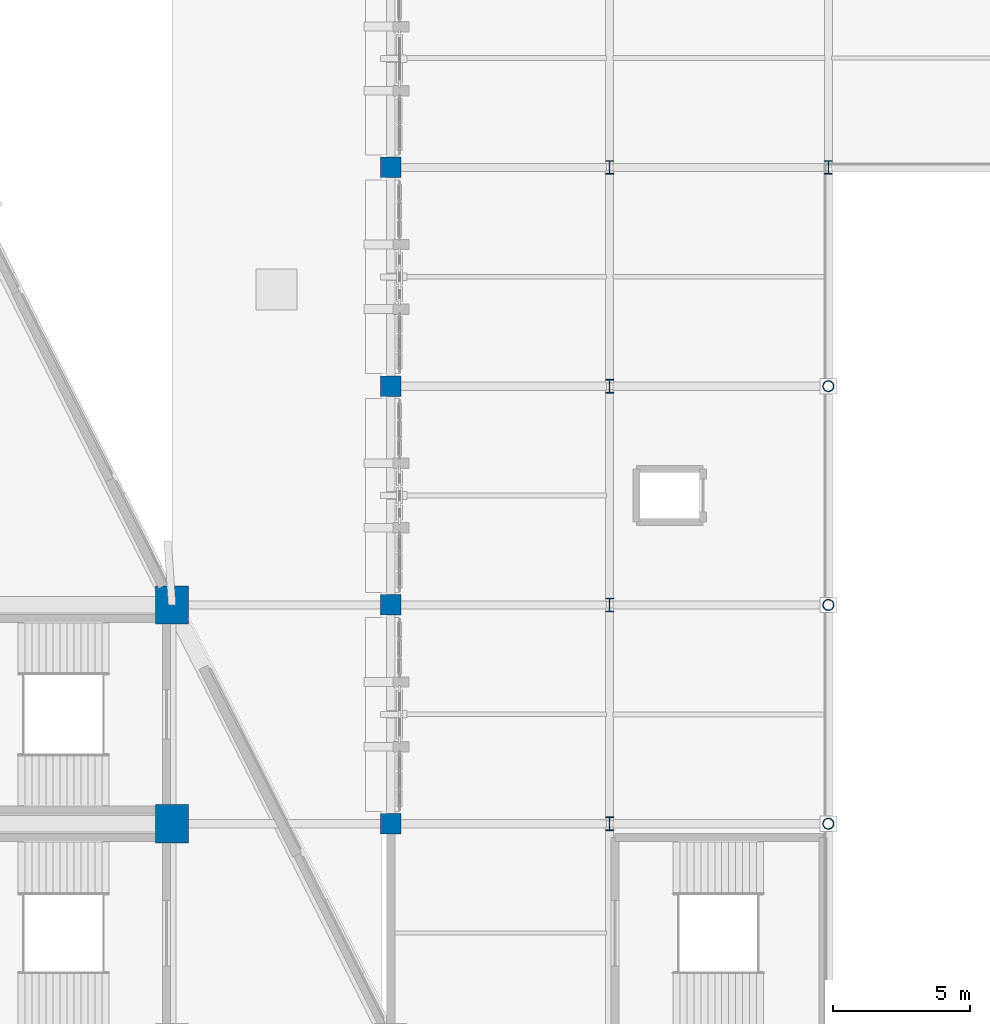
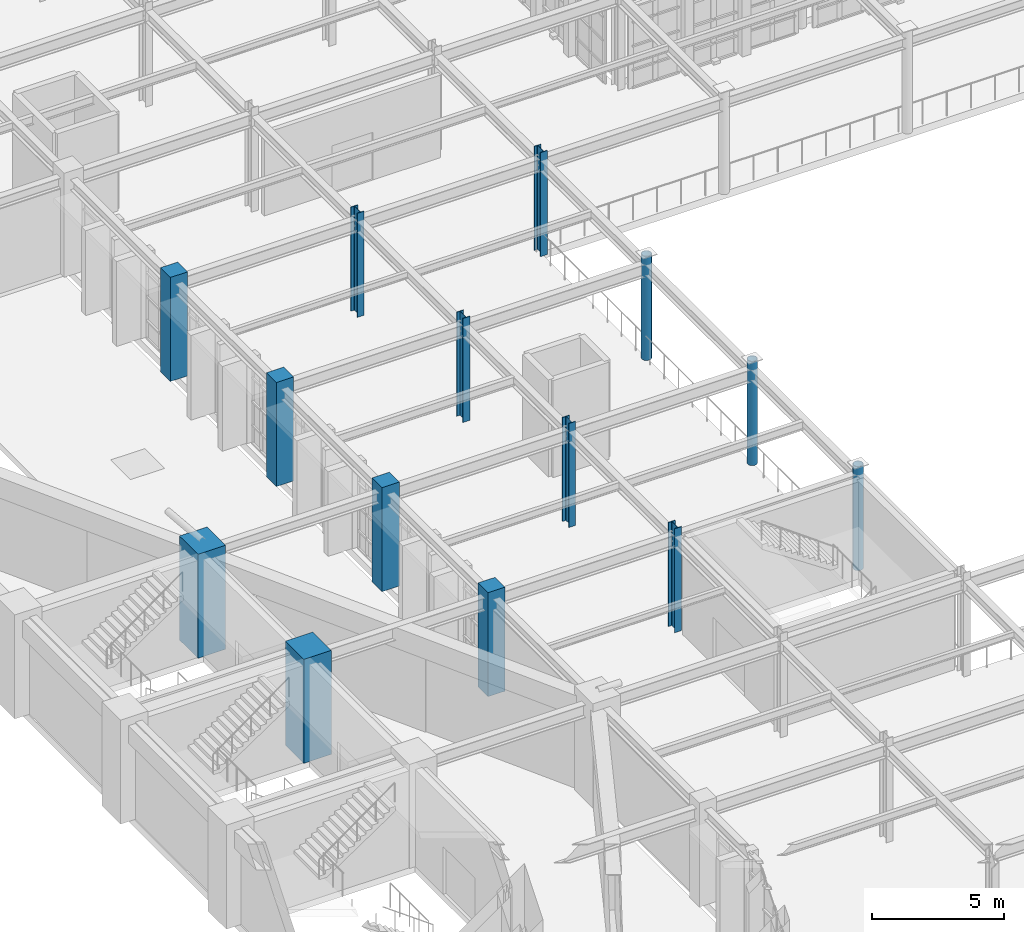
# One storey, part 4 of 155: 14 columns.
"""IFC4 building model written with IfcOpenShell, lengths in metres."""

from ifc_helpers import new_model, si_unit, direction, frame, origin, origin_2d, place, context, subcontext, project, spatial, rectangle, hollow_circle, i_section, extrude, material, material_profile, profile_set, type_object, element, save


model = new_model("IFC4")

# Units and contexts
model_context = context("Model", 3, precision=1e-05, world=origin(), true_north=direction((0.0, 1.0)))
body_context = subcontext(model_context, "Body", "Model", "MODEL_VIEW")
ifc_project = project(units=[si_unit("LENGTHUNIT", "METRE"), si_unit("AREAUNIT", "SQUARE_METRE"), si_unit("VOLUMEUNIT", "CUBIC_METRE"), si_unit("PLANEANGLEUNIT", "RADIAN"), si_unit("MASSUNIT", "GRAM", prefix="KILO")], contexts=[model_context])

# Site, building, storey
site_placement = place(None, origin())
site = spatial("IfcSite", under=ifc_project, at=site_placement, CompositionType="ELEMENT")
building_placement = place(site_placement, origin())
building = spatial("IfcBuilding", under=site, at=building_placement, Name="Tazarka Park Arena", CompositionType="ELEMENT")
storey_placement = place(building_placement, frame((0.0, 0.0, 5.39990234375)))
storey = spatial("IfcBuildingStorey", under=building, at=storey_placement, Name="L01", CompositionType="ELEMENT", Elevation=5.39990234375)

# Columns
ifc_material_1 = material(Name="Concrete C40/50", Category="concrete")
ifc_material_profile_1 = material_profile(ifc_material_1, rectangle(XDim=0.75, YDim=0.75, at=origin_2d()), Name="Concrete C40/50")
ifc_profile_set_1 = profile_set([ifc_material_profile_1], Name="Concrete C40/50")
column_type_1 = type_object("IfcColumnType", Name="COL-C-02", PredefinedType="COLUMN", material=ifc_profile_set_1)
for number, where, z_axis, x_axis, name in (
    (1, (136.0, 72.0, 0.0), (0.0, 0.0, 1.0), (1.0, 0.0, 0.0), "CLM-L01-17-09"),
    (2, (136.0, 80.0, 0.0), (0.0, 0.0, 1.0), (1.0, 0.0, 0.0), "CLM-L01-17-10"),
):
    element("IfcColumn", number, at=place(storey_placement, frame(where, z_axis=z_axis, x_axis=x_axis)), inside=storey, type_object=column_type_1, Name=name, PredefinedType="COLUMN", context=body_context, shape_type="SweptSolid", body=[
        extrude(rectangle(XDim=0.75, YDim=0.75, at=origin_2d()), origin(), (0.0, 0.0, 1.0), 4.800048828125),
    ])
ifc_material_2 = material(Name="Concrete C50/60", Category="concrete")
ifc_material_profile_2 = material_profile(ifc_material_2, rectangle(XDim=1.199951171875, YDim=1.39990234375, at=origin_2d()), Name="Concrete C50/60")
ifc_profile_set_2 = profile_set([ifc_material_profile_2], Name="Concrete C50/60")
column_type_2 = type_object("IfcColumnType", Name="COL-C-05", PredefinedType="COLUMN", material=ifc_profile_set_2)
column_1_placement = place(storey_placement, frame((128.0, 72.0, 0.0), z_axis=(0.0, 0.0, 1.0), x_axis=(1.0, 0.0, 0.0)))
element("IfcColumn", 3, at=column_1_placement, inside=storey, type_object=column_type_2, Name="CLM-L01-16-09", PredefinedType="COLUMN", context=body_context, shape_type="SweptSolid", body=[
    extrude(rectangle(XDim=1.199951171875, YDim=1.39990234375, at=origin_2d()), origin(), (0.0, 0.0, 1.0), 4.800048828125),
])
ifc_material_3 = material(Name="Concrete C40/50", Category="concrete")
ifc_material_profile_3 = material_profile(ifc_material_3, rectangle(XDim=0.75, YDim=0.75, at=origin_2d()), Name="Concrete C40/50")
ifc_profile_set_3 = profile_set([ifc_material_profile_3], Name="Concrete C40/50")
column_type_3 = type_object("IfcColumnType", Name="COL-C-06", PredefinedType="COLUMN", material=ifc_profile_set_3)
for number, where, z_axis, x_axis, name in (
    (4, (136.0, 88.0, 0.0), (0.0, 0.0, 1.0), (1.0, 0.0, 0.0), "CLM-L01-17-11"),
    (5, (136.0, 96.0, 0.0), (0.0, 0.0, 1.0), (1.0, 0.0, 0.0), "CLM-L01-17-12"),
):
    element("IfcColumn", number, at=place(storey_placement, frame(where, z_axis=z_axis, x_axis=x_axis)), inside=storey, type_object=column_type_3, Name=name, PredefinedType="COLUMN", context=body_context, shape_type="SweptSolid", body=[
        extrude(rectangle(XDim=0.75, YDim=0.75, at=origin_2d()), origin(), (0.0, 0.0, 1.0), 4.800048828125),
    ])
ifc_material_4 = material(Name="Concrete C50/60", Category="concrete")
ifc_material_profile_4 = material_profile(ifc_material_4, rectangle(XDim=1.199951171875, YDim=1.39990234375, at=origin_2d()), Name="Concrete C50/60")
ifc_profile_set_4 = profile_set([ifc_material_profile_4], Name="Concrete C50/60")
column_type_4 = type_object("IfcColumnType", Name="COL-C-08", PredefinedType="COLUMN", material=ifc_profile_set_4)
column_2_placement = place(storey_placement, frame((128.0, 80.0, 0.0), z_axis=(0.0, 0.0, 1.0), x_axis=(1.0, 0.0, 0.0)))
element("IfcColumn", 6, at=column_2_placement, inside=storey, type_object=column_type_4, Name="CLM-L01-16-10", PredefinedType="COLUMN", context=body_context, shape_type="SweptSolid", body=[
    extrude(rectangle(XDim=1.199951171875, YDim=1.39990234375, at=origin_2d()), origin(), (0.0, 0.0, 1.0), 4.800048828125),
])
ifc_material_5 = material(Name="Steel S355", Category="steel")
ifc_material_profile_5 = material_profile(ifc_material_5, i_section(OverallWidth=0.300048828125, OverallDepth=0.5, WebThickness=0.014404296875, FlangeThickness=0.028076171875, FilletRadius=0.027099609375, at=origin_2d()), Name="Steel S355")
ifc_profile_set_5 = profile_set([ifc_material_profile_5], Name="Steel S355")
column_type_5 = type_object("IfcColumnType", Name="COL-SC-02", PredefinedType="COLUMN", material=ifc_profile_set_5)
for number, where, z_axis, x_axis, name in (
    (7, (144.0, 72.0, 0.0), (0.0, 0.0, 1.0), (1.0, 0.0, 0.0), "CLM-L01-18-09"),
    (8, (144.0, 80.0, 0.0), (0.0, 0.0, 1.0), (1.0, 0.0, 0.0), "CLM-L01-18-10"),
    (9, (144.0, 88.0, 0.0), (0.0, 0.0, 1.0), (1.0, 0.0, 0.0), "CLM-L01-18-11"),
    (10, (144.0, 96.0, 0.0), (0.0, 0.0, 1.0), (1.0, 0.0, 0.0), "CLM-L01-18-12"),
    (11, (152.0, 96.0, 0.0), (0.0, 0.0, 1.0), (1.0, 0.0, 0.0), "CLM-L01-19-12"),
):
    element("IfcColumn", number, at=place(storey_placement, frame(where, z_axis=z_axis, x_axis=x_axis)), inside=storey, type_object=column_type_5, Name=name, PredefinedType="COLUMN", context=body_context, shape_type="SweptSolid", body=[
        extrude(i_section(OverallWidth=0.300048828125, OverallDepth=0.5, WebThickness=0.014404296875, FlangeThickness=0.028076171875, FilletRadius=0.027099609375, at=origin_2d()), origin(), (0.0, 0.0, 1.0), 4.800048828125),
    ])
ifc_material_6 = material(Name="Steel S355", Category="steel")
ifc_material_profile_6 = material_profile(ifc_material_6, hollow_circle(Radius=0.203125, WallThickness=0.02001953125, at=origin_2d()), Name="Steel S355")
ifc_profile_set_6 = profile_set([ifc_material_profile_6], Name="Steel S355")
column_type_6 = type_object("IfcColumnType", Name="COL-SC-04", PredefinedType="COLUMN", material=ifc_profile_set_6)
for number, where, z_axis, x_axis, name in (
    (12, (152.0, 72.0, 0.0), (0.0, 0.0, 1.0), (1.0, 0.0, 0.0), "CLM-L01-19-09"),
    (13, (152.0, 80.0, 0.0), (0.0, 0.0, 1.0), (1.0, 0.0, 0.0), "CLM-L01-19-10"),
    (14, (152.0, 88.0, 0.0), (0.0, 0.0, 1.0), (1.0, 0.0, 0.0), "CLM-L01-19-11"),
):
    element("IfcColumn", number, at=place(storey_placement, frame(where, z_axis=z_axis, x_axis=x_axis)), inside=storey, type_object=column_type_6, Name=name, PredefinedType="COLUMN", context=body_context, shape_type="SweptSolid", body=[
        extrude(hollow_circle(Radius=0.203125, WallThickness=0.02001953125, at=origin_2d()), origin(), (0.0, 0.0, 1.0), 4.800048828125),
    ])

save(model, "model.ifc")
